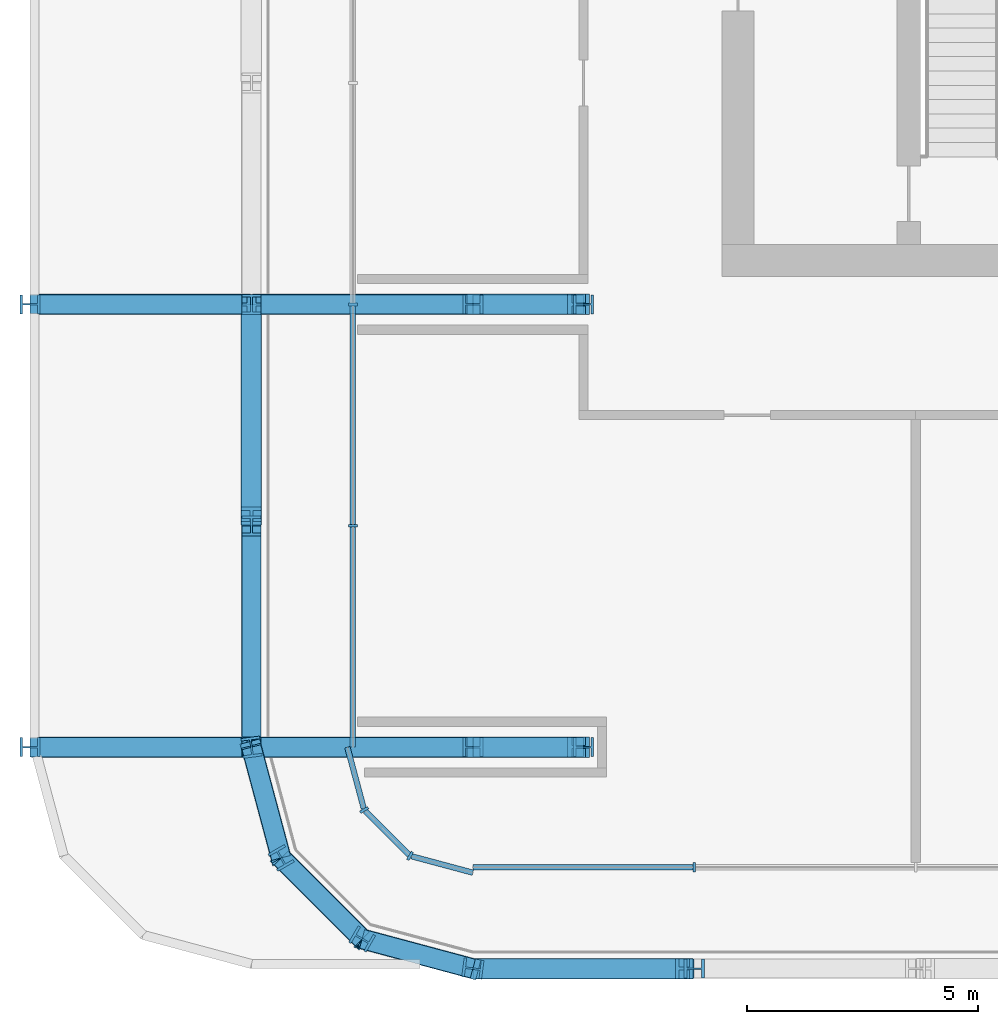
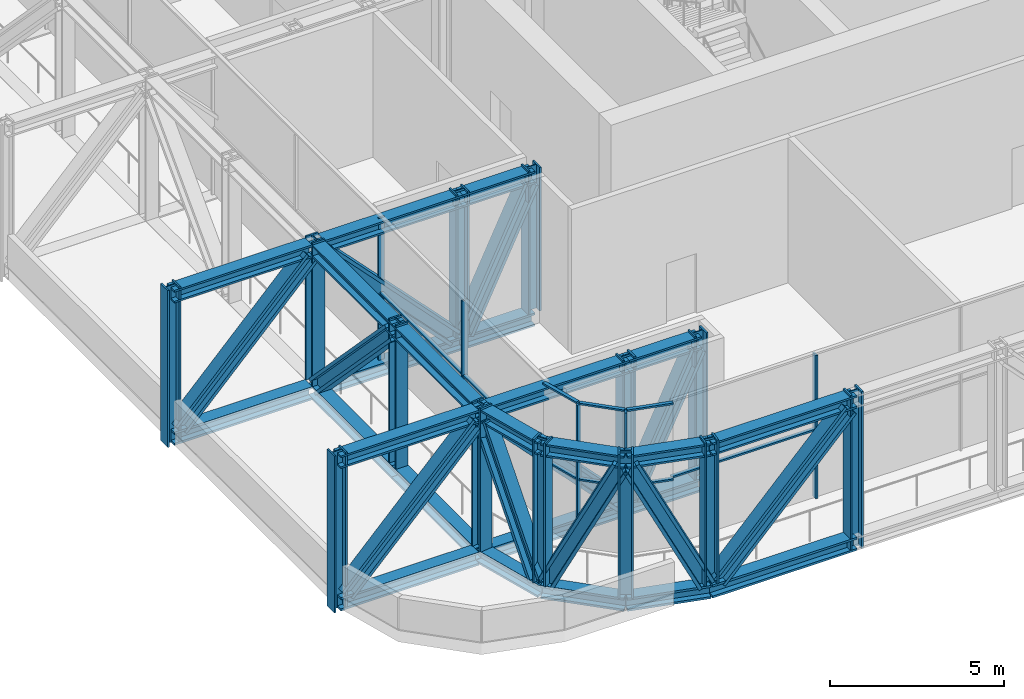
# One storey, part 1 of 30: 62 members, 3 elements without a shape of their own.
"""IFC4 building model written with IfcOpenShell, lengths in metres."""

from ifc_helpers import new_model, si_unit, direction, frame, origin, origin_2d, place, context, subcontext, project, spatial, rectangle, i_section, extrude, material, layer, layer_set, material_profile, profile_set, type_object, element, aggregate, save


model = new_model("IFC4")

# Units and contexts
model_context = context("Model", 3, precision=1e-05, world=origin(), true_north=direction((0.0, 1.0)))
body_context = subcontext(model_context, "Body", "Model", "MODEL_VIEW")
ifc_project = project(units=[si_unit("LENGTHUNIT", "METRE"), si_unit("AREAUNIT", "SQUARE_METRE"), si_unit("VOLUMEUNIT", "CUBIC_METRE"), si_unit("PLANEANGLEUNIT", "RADIAN"), si_unit("MASSUNIT", "GRAM", prefix="KILO")], contexts=[model_context])

# Site, building, storey
site_placement = place(None, origin())
site = spatial("IfcSite", under=ifc_project, at=site_placement, CompositionType="ELEMENT")
building_placement = place(site_placement, origin())
building = spatial("IfcBuilding", under=site, at=building_placement, Name="Madar Terraces", CompositionType="ELEMENT")
storey_placement = place(building_placement, frame((0.0, 0.0, 173.5)))
storey = spatial("IfcBuildingStorey", under=building, at=storey_placement, Name="L45", CompositionType="ELEMENT", Elevation=173.5)

# Members
ifc_material_1 = material(Name="Steel ASTM A913 Grade 65", Category="steel")
ifc_material_profile_1 = material_profile(ifc_material_1, i_section(OverallWidth=0.421630859375, OverallDepth=0.46484375, WebThickness=0.044921875, FlangeThickness=0.072509765625, at=origin_2d()), Name="W14x398")
ifc_profile_set_1 = profile_set([ifc_material_profile_1], Name="Steel ASTM A913 Grade 65")
member_type_1 = type_object("IfcMemberType", Name="BC6 W14x398", PredefinedType="CHORD", material=ifc_profile_set_1)
for number, where, z_axis, x_axis, name in (
    (1, (9.60009765625, 0.0, -0.1875), (1.0, 0.0, 0.0), (0.0, 1.0, 0.0), "Exoskeleton truss ring bottom chord BC6"),
    (2, (4.800048828125, 14.39990234375, -0.1875), (0.0, -1.0, 0.0), (1.0, 0.0, 0.0), "Exoskeleton truss ring bottom chord BC6"),
):
    element("IfcMember", number, at=place(storey_placement, frame(where, z_axis=z_axis, x_axis=x_axis)), inside=storey, type_object=member_type_1, Name=name, PredefinedType="CHORD", context=body_context, shape_type="SweptSolid", body=[
        extrude(i_section(OverallWidth=0.421630859375, OverallDepth=0.46484375, WebThickness=0.044921875, FlangeThickness=0.072509765625, at=origin_2d()), origin(), (0.0, 0.0, 1.0), 4.7998046875),
    ])
member_1_placement = place(storey_placement, frame((4.800048828125, 9.60009765625, -0.1875), z_axis=(0.0, -1.0, 0.0), x_axis=(1.0, 0.0, 0.0)))
element("IfcMember", 3, at=member_1_placement, inside=storey, type_object=member_type_1, Name="Exoskeleton truss ring bottom chord BC6", PredefinedType="CHORD", context=body_context, shape_type="SweptSolid", body=[
    extrude(i_section(OverallWidth=0.421630859375, OverallDepth=0.46484375, WebThickness=0.044921875, FlangeThickness=0.072509765625, at=origin_2d()), origin(), (0.0, 0.0, 1.0), 4.800048828125),
])
member_2_placement = place(storey_placement, frame((4.800048828125, 4.800048828125, -0.1875), z_axis=(0.258799930484, -0.965930947833, 0.0), x_axis=(0.965930947833, 0.258799930484, 0.0)))
element("IfcMember", 4, at=member_2_placement, inside=storey, type_object=member_type_1, Name="Exoskeleton truss ring bottom chord BC6", PredefinedType="CHORD", context=body_context, shape_type="SweptSolid", body=[
    extrude(i_section(OverallWidth=0.421630859375, OverallDepth=0.46484375, WebThickness=0.044921875, FlangeThickness=0.072509765625, at=origin_2d()), origin(), (0.0, 0.0, 1.0), 2.48486328125),
])
member_3_placement = place(storey_placement, frame((5.443115234375, 2.39990234375, -0.1875), z_axis=(0.707106781187, -0.707106781187, 0.0), x_axis=(0.707106781187, 0.707106781187, 0.0)))
element("IfcMember", 5, at=member_3_placement, inside=storey, type_object=member_type_1, Name="Exoskeleton truss ring bottom chord BC6", PredefinedType="CHORD", context=body_context, shape_type="SweptSolid", body=[
    extrude(i_section(OverallWidth=0.421630859375, OverallDepth=0.46484375, WebThickness=0.044921875, FlangeThickness=0.072509765625, at=origin_2d()), origin(), (0.0, 0.0, 1.0), 2.484619140625),
])
member_4_placement = place(storey_placement, frame((7.199951171875, 0.64306640625, -0.1875), z_axis=(0.965930947833, -0.258799930484, 0.0), x_axis=(0.258799930484, 0.965930947833, 0.0)))
element("IfcMember", 6, at=member_4_placement, inside=storey, type_object=member_type_1, Name="Exoskeleton truss ring bottom chord BC6", PredefinedType="CHORD", context=body_context, shape_type="SweptSolid", body=[
    extrude(i_section(OverallWidth=0.421630859375, OverallDepth=0.46484375, WebThickness=0.044921875, FlangeThickness=0.072509765625, at=origin_2d()), origin(), (0.0, 0.0, 1.0), 2.48486328125),
])
member_5_placement = place(storey_placement, frame((0.0, 4.800048828125, -0.1875), z_axis=(1.0, 0.0, 0.0), x_axis=(0.0, 1.0, 0.0)))
element("IfcMember", 7, at=member_5_placement, inside=storey, type_object=member_type_1, Name="Exoskeleton truss cross W4.8 bottom chord BC6", PredefinedType="CHORD", context=body_context, shape_type="SweptSolid", body=[
    extrude(i_section(OverallWidth=0.421630859375, OverallDepth=0.46484375, WebThickness=0.044921875, FlangeThickness=0.072509765625, at=origin_2d()), origin(), (0.0, 0.0, 1.0), 4.589111328125),
])
member_6_placement = place(storey_placement, frame((5.0107421875, 4.800048828125, -0.1875), z_axis=(1.0, 0.0, 0.0), x_axis=(0.0, 1.0, 0.0)))
element("IfcMember", 8, at=member_6_placement, inside=storey, type_object=member_type_1, Name="Exoskeleton truss cross W4.8 bottom chord BC6", PredefinedType="CHORD", context=body_context, shape_type="SweptSolid", body=[
    extrude(i_section(OverallWidth=0.421630859375, OverallDepth=0.46484375, WebThickness=0.044921875, FlangeThickness=0.072509765625, at=origin_2d()), origin(), (0.0, 0.0, 1.0), 4.58935546875),
])
member_7_placement = place(storey_placement, frame((9.60009765625, 4.800048828125, -0.1875), z_axis=(1.0, 0.0, 0.0), x_axis=(0.0, 1.0, 0.0)))
element("IfcMember", 9, at=member_7_placement, inside=storey, type_object=member_type_1, Name="Exoskeleton truss cross W4.8 bottom chord BC6", PredefinedType="CHORD", context=body_context, shape_type="SweptSolid", body=[
    extrude(i_section(OverallWidth=0.421630859375, OverallDepth=0.46484375, WebThickness=0.044921875, FlangeThickness=0.072509765625, at=origin_2d()), origin(), (0.0, 0.0, 1.0), 2.39990234375),
])
member_8_placement = place(storey_placement, frame((0.0, 14.39990234375, -0.1875), z_axis=(1.0, 0.0, 0.0), x_axis=(0.0, 1.0, 0.0)))
element("IfcMember", 10, at=member_8_placement, inside=storey, type_object=member_type_1, Name="Exoskeleton truss cross W14.4 bottom chord BC6", PredefinedType="CHORD", context=body_context, shape_type="SweptSolid", body=[
    extrude(i_section(OverallWidth=0.421630859375, OverallDepth=0.46484375, WebThickness=0.044921875, FlangeThickness=0.072509765625, at=origin_2d()), origin(), (0.0, 0.0, 1.0), 4.589111328125),
])
member_9_placement = place(storey_placement, frame((5.0107421875, 14.39990234375, -0.1875), z_axis=(1.0, 0.0, 0.0), x_axis=(0.0, 1.0, 0.0)))
element("IfcMember", 11, at=member_9_placement, inside=storey, type_object=member_type_1, Name="Exoskeleton truss cross W14.4 bottom chord BC6", PredefinedType="CHORD", context=body_context, shape_type="SweptSolid", body=[
    extrude(i_section(OverallWidth=0.421630859375, OverallDepth=0.46484375, WebThickness=0.044921875, FlangeThickness=0.072509765625, at=origin_2d()), origin(), (0.0, 0.0, 1.0), 4.58935546875),
])
member_10_placement = place(storey_placement, frame((9.60009765625, 14.39990234375, -0.1875), z_axis=(1.0, 0.0, 0.0), x_axis=(0.0, 1.0, 0.0)))
element("IfcMember", 12, at=member_10_placement, inside=storey, type_object=member_type_1, Name="Exoskeleton truss cross W14.4 bottom chord BC6", PredefinedType="CHORD", context=body_context, shape_type="SweptSolid", body=[
    extrude(i_section(OverallWidth=0.421630859375, OverallDepth=0.46484375, WebThickness=0.044921875, FlangeThickness=0.072509765625, at=origin_2d()), origin(), (0.0, 0.0, 1.0), 2.39990234375),
])

# Curtain wall, member
ifc_material_2 = material(Name="Glass, ceramic frit dark grey, with black aluminium frame", Category="aluminium")
ifc_layer = layer(ifc_material_2, 0.199951171875)
ifc_layer_set = layer_set([ifc_layer], Name="Facade curtain wall, tall glazing")
curtain_wall_type = type_object("IfcCurtainWallType", Name="Facade curtain wall, tall glazing", PredefinedType="NOTDEFINED", material=ifc_layer_set)
curtain_wall_1_placement = place(storey_placement, origin())
curtain_wall_1 = element("IfcCurtainWall", 13, at=curtain_wall_1_placement, inside=storey, type_object=curtain_wall_type, Name="Outer skin curtain wall south bay 1", PredefinedType="NOTDEFINED")
ifc_material_3 = material(Name="Aluminium, black anodised", Category="aluminium")
ifc_material_profile_2 = material_profile(ifc_material_3, rectangle(XDim=0.199951171875, YDim=0.06005859375, at=origin_2d()), Name="Facade mullion 60x200")
ifc_profile_set_2 = profile_set([ifc_material_profile_2], Name="Aluminium, black anodised")
member_type_2 = type_object("IfcMemberType", Name="Facade mullion 60x200", PredefinedType="MULLION", material=ifc_profile_set_2)
member_11_placement = place(storey_placement, frame((14.39990234375, 2.199951171875, 0.0), z_axis=(0.0, 0.0, 1.0), x_axis=(0.0, 1.0, 0.0)))
member_11 = element("IfcMember", 14, at=member_11_placement, type_object=member_type_2, Name="Mullion 1", PredefinedType="MULLION", context=body_context, shape_type="SweptSolid", body=[
    extrude(rectangle(XDim=0.199951171875, YDim=0.06005859375, at=origin_2d()), origin(), (0.0, 0.0, 1.0), 5.0400390625),
])

# Curtain wall, members
curtain_wall_2_placement = place(storey_placement, origin())
curtain_wall_2 = element("IfcCurtainWall", 15, at=curtain_wall_2_placement, inside=storey, type_object=curtain_wall_type, Name="Outer skin curtain wall west bay 1", PredefinedType="NOTDEFINED")
member_12_placement = place(storey_placement, frame((7.0, 14.39990234375, 0.0), z_axis=(0.0, 0.0, 1.0), x_axis=(1.0, 0.0, 0.0)))
member_12 = element("IfcMember", 16, at=member_12_placement, type_object=member_type_2, Name="Mullion 6", PredefinedType="MULLION", context=body_context, shape_type="SweptSolid", body=[
    extrude(rectangle(XDim=0.199951171875, YDim=0.06005859375, at=origin_2d()), origin(), (0.0, 0.0, 1.0), 5.0400390625),
])
member_13_placement = place(storey_placement, frame((7.0, 9.60009765625, 0.0), z_axis=(0.0, 0.0, 1.0), x_axis=(1.0, 0.0, 0.0)))
member_13 = element("IfcMember", 17, at=member_13_placement, type_object=member_type_2, Name="Mullion 7", PredefinedType="MULLION", context=body_context, shape_type="SweptSolid", body=[
    extrude(rectangle(XDim=0.199951171875, YDim=0.06005859375, at=origin_2d()), origin(), (0.0, 0.0, 1.0), 5.0400390625),
])

curtain_wall_3_placement = place(storey_placement, origin())
curtain_wall_3 = element("IfcCurtainWall", 18, at=curtain_wall_3_placement, inside=storey, type_object=curtain_wall_type, Name="Outer skin curtain wall south-west corner", PredefinedType="NOTDEFINED")
member_14_placement = place(storey_placement, frame((7.244384765625, 3.43994140625, 0.0), z_axis=(0.0, 0.0, 1.0), x_axis=(0.866025386925, 0.500000029202, 0.0)))
member_14 = element("IfcMember", 19, at=member_14_placement, type_object=member_type_2, Name="Mullion 1", PredefinedType="MULLION", context=body_context, shape_type="SweptSolid", body=[
    extrude(rectangle(XDim=0.199951171875, YDim=0.06005859375, at=origin_2d()), origin(), (0.0, 0.0, 1.0), 5.0400390625),
])
member_15_placement = place(storey_placement, frame((8.239990234375, 2.4443359375, 0.0), z_axis=(0.0, 0.0, 1.0), x_axis=(0.500000029202, 0.866025386925, 0.0)))
member_15 = element("IfcMember", 20, at=member_15_placement, type_object=member_type_2, Name="Mullion 2", PredefinedType="MULLION", context=body_context, shape_type="SweptSolid", body=[
    extrude(rectangle(XDim=0.199951171875, YDim=0.06005859375, at=origin_2d()), origin(), (0.0, 0.0, 1.0), 5.0400390625),
])

# Member
ifc_material_4 = material(Name="Aluminium, black anodised", Category="aluminium")
ifc_material_profile_3 = material_profile(ifc_material_4, rectangle(XDim=0.1201171875, YDim=0.06005859375, at=origin_2d()), Name="Facade transom 60x120")
ifc_profile_set_3 = profile_set([ifc_material_profile_3], Name="Aluminium, black anodised")
member_type_3 = type_object("IfcMemberType", Name="Facade transom 60x120", PredefinedType="USERDEFINED", material=ifc_profile_set_3)
member_16_placement = place(storey_placement, frame((9.60009765625, 2.199951171875, 2.39990234375), z_axis=(1.0, 0.0, 0.0), x_axis=(0.0, 1.0, 0.0)))
member_16 = element("IfcMember", 21, at=member_16_placement, type_object=member_type_3, Name="Transom 2", ObjectType="TRANSOM", PredefinedType="USERDEFINED", context=body_context, shape_type="SweptSolid", body=[
    extrude(rectangle(XDim=0.1201171875, YDim=0.06005859375, at=origin_2d()), origin(), (0.0, 0.0, 1.0), 4.77001953125),
])

aggregate(curtain_wall_1, [member_11, member_16])

member_17_placement = place(storey_placement, frame((7.0, 14.3701171875, 2.39990234375), z_axis=(0.0, -1.0, 0.0), x_axis=(1.0, 0.0, 0.0)))
member_17 = element("IfcMember", 22, at=member_17_placement, type_object=member_type_3, Name="Transom 8", ObjectType="TRANSOM", PredefinedType="USERDEFINED", context=body_context, shape_type="SweptSolid", body=[
    extrude(rectangle(XDim=0.1201171875, YDim=0.06005859375, at=origin_2d()), origin(), (0.0, 0.0, 1.0), 4.740234375),
])

member_18_placement = place(storey_placement, frame((7.0, 9.570068359375, 2.39990234375), z_axis=(0.0, -1.0, 0.0), x_axis=(1.0, 0.0, 0.0)))
member_18 = element("IfcMember", 23, at=member_18_placement, type_object=member_type_3, Name="Transom 9", ObjectType="TRANSOM", PredefinedType="USERDEFINED", context=body_context, shape_type="SweptSolid", body=[
    extrude(rectangle(XDim=0.1201171875, YDim=0.06005859375, at=origin_2d()), origin(), (0.0, 0.0, 1.0), 4.77001953125),
])

aggregate(curtain_wall_2, [member_12, member_13, member_17, member_18])

member_19_placement = place(storey_placement, frame((6.8798828125, 4.800048828125, 5.070068359375), z_axis=(0.258842352791, -0.965919580711, 0.0), x_axis=(0.965919580711, 0.258842352791, 0.0)))
member_19 = element("IfcMember", 24, at=member_19_placement, type_object=member_type_3, Name="Transom 1", ObjectType="TRANSOM", PredefinedType="USERDEFINED", context=body_context, shape_type="SweptSolid", body=[
    extrude(rectangle(XDim=0.1201171875, YDim=0.06005859375, at=origin_2d()), origin(), (0.0, 0.0, 1.0), 1.3779296875),
])

member_20_placement = place(storey_placement, frame((6.8798828125, 4.800048828125, 2.39990234375), z_axis=(0.258842352791, -0.965919580711, 0.0), x_axis=(0.965919580711, 0.258842352791, 0.0)))
member_20 = element("IfcMember", 25, at=member_20_placement, type_object=member_type_3, Name="Transom 2", ObjectType="TRANSOM", PredefinedType="USERDEFINED", context=body_context, shape_type="SweptSolid", body=[
    extrude(rectangle(XDim=0.1201171875, YDim=0.06005859375, at=origin_2d()), origin(), (0.0, 0.0, 1.0), 1.3779296875),
])

member_21_placement = place(storey_placement, frame((7.265625, 3.418701171875, 5.070068359375), z_axis=(0.707106781187, -0.707106781187, 0.0), x_axis=(0.707106781187, 0.707106781187, 0.0)))
member_21 = element("IfcMember", 26, at=member_21_placement, type_object=member_type_3, Name="Transom 3", ObjectType="TRANSOM", PredefinedType="USERDEFINED", context=body_context, shape_type="SweptSolid", body=[
    extrude(rectangle(XDim=0.1201171875, YDim=0.06005859375, at=origin_2d()), origin(), (0.0, 0.0, 1.0), 1.347900390625),
])

member_22_placement = place(storey_placement, frame((7.265625, 3.418701171875, 2.39990234375), z_axis=(0.707106781187, -0.707106781187, 0.0), x_axis=(0.707106781187, 0.707106781187, 0.0)))
member_22 = element("IfcMember", 27, at=member_22_placement, type_object=member_type_3, Name="Transom 4", ObjectType="TRANSOM", PredefinedType="USERDEFINED", context=body_context, shape_type="SweptSolid", body=[
    extrude(rectangle(XDim=0.1201171875, YDim=0.06005859375, at=origin_2d()), origin(), (0.0, 0.0, 1.0), 1.347900390625),
])

member_23_placement = place(storey_placement, frame((8.26904296875, 2.436767578125, 5.070068359375), z_axis=(0.965919580711, -0.258842352791, 0.0), x_axis=(0.258842352791, 0.965919580711, 0.0)))
member_23 = element("IfcMember", 28, at=member_23_placement, type_object=member_type_3, Name="Transom 5", ObjectType="TRANSOM", PredefinedType="USERDEFINED", context=body_context, shape_type="SweptSolid", body=[
    extrude(rectangle(XDim=0.1201171875, YDim=0.06005859375, at=origin_2d()), origin(), (0.0, 0.0, 1.0), 1.3779296875),
])

member_24_placement = place(storey_placement, frame((8.26904296875, 2.436767578125, 2.39990234375), z_axis=(0.965919580711, -0.258842352791, 0.0), x_axis=(0.258842352791, 0.965919580711, 0.0)))
member_24 = element("IfcMember", 29, at=member_24_placement, type_object=member_type_3, Name="Transom 6", ObjectType="TRANSOM", PredefinedType="USERDEFINED", context=body_context, shape_type="SweptSolid", body=[
    extrude(rectangle(XDim=0.1201171875, YDim=0.06005859375, at=origin_2d()), origin(), (0.0, 0.0, 1.0), 1.3779296875),
])

aggregate(curtain_wall_3, [member_14, member_19, member_20, member_15, member_21, member_22, member_23, member_24])

# Members
ifc_material_5 = material(Name="Steel ASTM A913 Grade 65", Category="steel")
ifc_material_profile_4 = material_profile(ifc_material_5, i_section(OverallWidth=0.41650390625, OverallDepth=0.444580078125, WebThickness=0.0390625, FlangeThickness=0.062744140625, at=origin_2d()), Name="W14x342")
ifc_profile_set_4 = profile_set([ifc_material_profile_4], Name="Steel ASTM A913 Grade 65")
member_type_4 = type_object("IfcMemberType", Name="TC6 W14x342", PredefinedType="CHORD", material=ifc_profile_set_4)
for number, where, z_axis, x_axis, name in (
    (30, (9.60009765625, 0.0, 4.807861328125), (1.0, 0.0, 0.0), (0.0, 1.0, 0.0), "Exoskeleton truss ring top chord TC6"),
    (31, (4.800048828125, 14.39990234375, 4.807861328125), (0.0, -1.0, 0.0), (1.0, 0.0, 0.0), "Exoskeleton truss ring top chord TC6"),
):
    element("IfcMember", number, at=place(storey_placement, frame(where, z_axis=z_axis, x_axis=x_axis)), inside=storey, type_object=member_type_4, Name=name, PredefinedType="CHORD", context=body_context, shape_type="SweptSolid", body=[
        extrude(i_section(OverallWidth=0.41650390625, OverallDepth=0.444580078125, WebThickness=0.0390625, FlangeThickness=0.062744140625, at=origin_2d()), origin(), (0.0, 0.0, 1.0), 4.7998046875),
    ])
member_25_placement = place(storey_placement, frame((4.800048828125, 9.60009765625, 4.807861328125), z_axis=(0.0, -1.0, 0.0), x_axis=(1.0, 0.0, 0.0)))
element("IfcMember", 32, at=member_25_placement, inside=storey, type_object=member_type_4, Name="Exoskeleton truss ring top chord TC6", PredefinedType="CHORD", context=body_context, shape_type="SweptSolid", body=[
    extrude(i_section(OverallWidth=0.41650390625, OverallDepth=0.444580078125, WebThickness=0.0390625, FlangeThickness=0.062744140625, at=origin_2d()), origin(), (0.0, 0.0, 1.0), 4.800048828125),
])
member_26_placement = place(storey_placement, frame((4.800048828125, 4.800048828125, 4.807861328125), z_axis=(0.258799930484, -0.965930947833, 0.0), x_axis=(0.965930947833, 0.258799930484, 0.0)))
element("IfcMember", 33, at=member_26_placement, inside=storey, type_object=member_type_4, Name="Exoskeleton truss ring top chord TC6", PredefinedType="CHORD", context=body_context, shape_type="SweptSolid", body=[
    extrude(i_section(OverallWidth=0.41650390625, OverallDepth=0.444580078125, WebThickness=0.0390625, FlangeThickness=0.062744140625, at=origin_2d()), origin(), (0.0, 0.0, 1.0), 2.48486328125),
])
member_27_placement = place(storey_placement, frame((5.443115234375, 2.39990234375, 4.807861328125), z_axis=(0.707106781187, -0.707106781187, 0.0), x_axis=(0.707106781187, 0.707106781187, 0.0)))
element("IfcMember", 34, at=member_27_placement, inside=storey, type_object=member_type_4, Name="Exoskeleton truss ring top chord TC6", PredefinedType="CHORD", context=body_context, shape_type="SweptSolid", body=[
    extrude(i_section(OverallWidth=0.41650390625, OverallDepth=0.444580078125, WebThickness=0.0390625, FlangeThickness=0.062744140625, at=origin_2d()), origin(), (0.0, 0.0, 1.0), 2.484619140625),
])
member_28_placement = place(storey_placement, frame((7.199951171875, 0.64306640625, 4.807861328125), z_axis=(0.965930947833, -0.258799930484, 0.0), x_axis=(0.258799930484, 0.965930947833, 0.0)))
element("IfcMember", 35, at=member_28_placement, inside=storey, type_object=member_type_4, Name="Exoskeleton truss ring top chord TC6", PredefinedType="CHORD", context=body_context, shape_type="SweptSolid", body=[
    extrude(i_section(OverallWidth=0.41650390625, OverallDepth=0.444580078125, WebThickness=0.0390625, FlangeThickness=0.062744140625, at=origin_2d()), origin(), (0.0, 0.0, 1.0), 2.48486328125),
])
for number, where, z_axis, x_axis, name in (
    (36, (0.0, 4.800048828125, 4.807861328125), (1.0, 0.0, 0.0), (0.0, 1.0, 0.0), "Exoskeleton truss cross W4.8 top chord TC6"),
    (37, (5.00830078125, 4.800048828125, 4.807861328125), (1.0, 0.0, 0.0), (0.0, 1.0, 0.0), "Exoskeleton truss cross W4.8 top chord TC6"),
):
    element("IfcMember", number, at=place(storey_placement, frame(where, z_axis=z_axis, x_axis=x_axis)), inside=storey, type_object=member_type_4, Name=name, PredefinedType="CHORD", context=body_context, shape_type="SweptSolid", body=[
        extrude(i_section(OverallWidth=0.41650390625, OverallDepth=0.444580078125, WebThickness=0.0390625, FlangeThickness=0.062744140625, at=origin_2d()), origin(), (0.0, 0.0, 1.0), 4.591796875),
    ])
member_29_placement = place(storey_placement, frame((9.60009765625, 4.800048828125, 4.807861328125), z_axis=(1.0, 0.0, 0.0), x_axis=(0.0, 1.0, 0.0)))
element("IfcMember", 38, at=member_29_placement, inside=storey, type_object=member_type_4, Name="Exoskeleton truss cross W4.8 top chord TC6", PredefinedType="CHORD", context=body_context, shape_type="SweptSolid", body=[
    extrude(i_section(OverallWidth=0.41650390625, OverallDepth=0.444580078125, WebThickness=0.0390625, FlangeThickness=0.062744140625, at=origin_2d()), origin(), (0.0, 0.0, 1.0), 2.39990234375),
])
for number, where, z_axis, x_axis, name in (
    (39, (0.0, 14.39990234375, 4.807861328125), (1.0, 0.0, 0.0), (0.0, 1.0, 0.0), "Exoskeleton truss cross W14.4 top chord TC6"),
    (40, (5.00830078125, 14.39990234375, 4.807861328125), (1.0, 0.0, 0.0), (0.0, 1.0, 0.0), "Exoskeleton truss cross W14.4 top chord TC6"),
):
    element("IfcMember", number, at=place(storey_placement, frame(where, z_axis=z_axis, x_axis=x_axis)), inside=storey, type_object=member_type_4, Name=name, PredefinedType="CHORD", context=body_context, shape_type="SweptSolid", body=[
        extrude(i_section(OverallWidth=0.41650390625, OverallDepth=0.444580078125, WebThickness=0.0390625, FlangeThickness=0.062744140625, at=origin_2d()), origin(), (0.0, 0.0, 1.0), 4.591796875),
    ])
member_30_placement = place(storey_placement, frame((9.60009765625, 14.39990234375, 4.807861328125), z_axis=(1.0, 0.0, 0.0), x_axis=(0.0, 1.0, 0.0)))
element("IfcMember", 41, at=member_30_placement, inside=storey, type_object=member_type_4, Name="Exoskeleton truss cross W14.4 top chord TC6", PredefinedType="CHORD", context=body_context, shape_type="SweptSolid", body=[
    extrude(i_section(OverallWidth=0.41650390625, OverallDepth=0.444580078125, WebThickness=0.0390625, FlangeThickness=0.062744140625, at=origin_2d()), origin(), (0.0, 0.0, 1.0), 2.39990234375),
])
ifc_material_6 = material(Name="Steel ASTM A913 Grade 65", Category="steel")
ifc_material_profile_5 = material_profile(ifc_material_6, i_section(OverallWidth=0.44189453125, OverallDepth=0.53076171875, WebThickness=0.06591796875, FlangeThickness=0.105712890625, at=origin_2d()), Name="W14x605")
ifc_profile_set_5 = profile_set([ifc_material_profile_5], Name="Steel ASTM A913 Grade 65")
member_type_5 = type_object("IfcMemberType", Name="TD6 W14x605", PredefinedType="BRACE", material=ifc_profile_set_5)
for number, where, z_axis, x_axis, name in (
    (42, (9.8232421875, 0.0, 0.044921875), (0.692893291087, 0.0, 0.721040142549), (0.0, 1.0, 0.0), "Exoskeleton truss ring diagonal TD6"),
    (43, (4.800048828125, 14.1767578125, 0.044921875), (0.0, -0.692893291087, 0.721040142549), (1.0, 0.0, 0.0), "Exoskeleton truss ring diagonal TD6"),
):
    element("IfcMember", number, at=place(storey_placement, frame(where, z_axis=z_axis, x_axis=x_axis)), inside=storey, type_object=member_type_5, Name=name, PredefinedType="BRACE", context=body_context, shape_type="SweptSolid", body=[
        extrude(i_section(OverallWidth=0.44189453125, OverallDepth=0.53076171875, WebThickness=0.06591796875, FlangeThickness=0.105712890625, at=origin_2d()), origin(), (0.0, 0.0, 1.0), 6.297119140625),
    ])
member_31_placement = place(storey_placement, frame((4.82861328125, 4.693115234375, 4.58544921875), z_axis=(0.115254628021, -0.4301587725, -0.895365735977), x_axis=(0.965929232481, 0.258806332687, 0.0)))
element("IfcMember", 44, at=member_31_placement, inside=storey, type_object=member_type_5, Name="Exoskeleton truss ring diagonal TD6", PredefinedType="BRACE", context=body_context, shape_type="SweptSolid", body=[
    extrude(i_section(OverallWidth=0.44189453125, OverallDepth=0.53076171875, WebThickness=0.06591796875, FlangeThickness=0.105712890625, at=origin_2d()), origin(), (0.0, 0.0, 1.0), 5.071044921875),
])
member_32_placement = place(storey_placement, frame((5.52490234375, 2.318359375, 0.044921875), z_axis=(0.314897946587, -0.314946088759, 0.895348113535), x_axis=(0.707160826876, 0.707052731366, 0.0)))
element("IfcMember", 45, at=member_32_placement, inside=storey, type_object=member_type_5, Name="Exoskeleton truss ring diagonal TD6", PredefinedType="BRACE", context=body_context, shape_type="SweptSolid", body=[
    extrude(i_section(OverallWidth=0.44189453125, OverallDepth=0.53076171875, WebThickness=0.06591796875, FlangeThickness=0.105712890625, at=origin_2d()), origin(), (0.0, 0.0, 1.0), 5.0712890625),
])
member_33_placement = place(storey_placement, frame((7.306884765625, 0.614501953125, 4.58544921875), z_axis=(0.4301587725, -0.115254628021, -0.895365735977), x_axis=(0.258806332687, 0.965929232481, 0.0)))
element("IfcMember", 46, at=member_33_placement, inside=storey, type_object=member_type_5, Name="Exoskeleton truss ring diagonal TD6", PredefinedType="BRACE", context=body_context, shape_type="SweptSolid", body=[
    extrude(i_section(OverallWidth=0.44189453125, OverallDepth=0.53076171875, WebThickness=0.06591796875, FlangeThickness=0.105712890625, at=origin_2d()), origin(), (0.0, 0.0, 1.0), 5.071044921875),
])
for number, where, z_axis, x_axis, name in (
    (47, (0.223388671875, 4.800048828125, 0.044921875), (0.692873133915, 0.0, 0.721059512314), (0.0, 1.0, 0.0), "Exoskeleton truss cross W4.8 diagonal TD6"),
    (48, (5.013671875, 4.800048828125, 4.58544921875), (0.692873133915, 0.0, -0.721059512314), (0.0, 1.0, 0.0), "Exoskeleton truss cross W4.8 diagonal TD6"),
):
    element("IfcMember", number, at=place(storey_placement, frame(where, z_axis=z_axis, x_axis=x_axis)), inside=storey, type_object=member_type_5, Name=name, PredefinedType="BRACE", context=body_context, shape_type="SweptSolid", body=[
        extrude(i_section(OverallWidth=0.44189453125, OverallDepth=0.53076171875, WebThickness=0.06591796875, FlangeThickness=0.105712890625, at=origin_2d()), origin(), (0.0, 0.0, 1.0), 6.297119140625),
    ])
member_34_placement = place(storey_placement, frame((9.711669921875, 4.800048828125, 0.044921875), z_axis=(0.433083966096, 0.0, 0.901353581183), x_axis=(0.0, 1.0, 0.0)))
element("IfcMember", 49, at=member_34_placement, inside=storey, type_object=member_type_5, Name="Exoskeleton truss cross W4.8 diagonal TD6", PredefinedType="BRACE", context=body_context, shape_type="SweptSolid", body=[
    extrude(i_section(OverallWidth=0.44189453125, OverallDepth=0.53076171875, WebThickness=0.06591796875, FlangeThickness=0.105712890625, at=origin_2d()), origin(), (0.0, 0.0, 1.0), 5.037353515625),
])
for number, where, z_axis, x_axis, name in (
    (50, (0.223388671875, 14.39990234375, 0.044921875), (0.692873133915, 0.0, 0.721059512314), (0.0, 1.0, 0.0), "Exoskeleton truss cross W14.4 diagonal TD6"),
    (51, (5.013671875, 14.39990234375, 4.58544921875), (0.692873133915, 0.0, -0.721059512314), (0.0, 1.0, 0.0), "Exoskeleton truss cross W14.4 diagonal TD6"),
):
    element("IfcMember", number, at=place(storey_placement, frame(where, z_axis=z_axis, x_axis=x_axis)), inside=storey, type_object=member_type_5, Name=name, PredefinedType="BRACE", context=body_context, shape_type="SweptSolid", body=[
        extrude(i_section(OverallWidth=0.44189453125, OverallDepth=0.53076171875, WebThickness=0.06591796875, FlangeThickness=0.105712890625, at=origin_2d()), origin(), (0.0, 0.0, 1.0), 6.297119140625),
    ])
member_35_placement = place(storey_placement, frame((9.711669921875, 14.39990234375, 0.044921875), z_axis=(0.433083966096, 0.0, 0.901353581183), x_axis=(0.0, 1.0, 0.0)))
element("IfcMember", 52, at=member_35_placement, inside=storey, type_object=member_type_5, Name="Exoskeleton truss cross W14.4 diagonal TD6", PredefinedType="BRACE", context=body_context, shape_type="SweptSolid", body=[
    extrude(i_section(OverallWidth=0.44189453125, OverallDepth=0.53076171875, WebThickness=0.06591796875, FlangeThickness=0.105712890625, at=origin_2d()), origin(), (0.0, 0.0, 1.0), 5.037353515625),
])
ifc_material_7 = material(Name="Steel ASTM A913 Grade 65", Category="steel")
ifc_material_profile_6 = material_profile(ifc_material_7, i_section(OverallWidth=0.411376953125, OverallDepth=0.434326171875, WebThickness=0.035888671875, FlangeThickness=0.057373046875, at=origin_2d()), Name="W14x311")
ifc_profile_set_6 = profile_set([ifc_material_profile_6], Name="Steel ASTM A913 Grade 65")
member_type_6 = type_object("IfcMemberType", Name="TV6 W14x311", PredefinedType="POST", material=ifc_profile_set_6)
member_36_placement = place(storey_placement, frame((9.60009765625, 0.0, 0.044921875), z_axis=(0.0, 0.0, 1.0), x_axis=(0.130526174916, 0.991444863652, 0.0)))
element("IfcMember", 53, at=member_36_placement, inside=storey, type_object=member_type_6, Name="Exoskeleton truss ring post TV6", PredefinedType="POST", context=body_context, shape_type="SweptSolid", body=[
    extrude(i_section(OverallWidth=0.411376953125, OverallDepth=0.434326171875, WebThickness=0.035888671875, FlangeThickness=0.057373046875, at=origin_2d()), origin(), (0.0, 0.0, 1.0), 5.05517578125),
])
member_37_placement = place(storey_placement, frame((14.39990234375, 0.0, -0.419921875), z_axis=(0.0, 0.0, 1.0), x_axis=(0.0, 1.0, 0.0)))
element("IfcMember", 54, at=member_37_placement, inside=storey, type_object=member_type_6, Name="Exoskeleton truss ring post TV6", PredefinedType="POST", context=body_context, shape_type="SweptSolid", body=[
    extrude(i_section(OverallWidth=0.411376953125, OverallDepth=0.434326171875, WebThickness=0.035888671875, FlangeThickness=0.057373046875, at=origin_2d()), origin(), (0.0, 0.0, 1.0), 5.52001953125),
])
for number, where, z_axis, x_axis, name in (
    (55, (4.800048828125, 14.39990234375, 0.044921875), (0.0, 0.0, 1.0), (1.0, 0.0, 0.0), "Exoskeleton truss ring post TV6"),
    (56, (4.800048828125, 9.60009765625, 0.044921875), (0.0, 0.0, 1.0), (1.0, 0.0, 0.0), "Exoskeleton truss ring post TV6"),
    (57, (4.800048828125, 4.800048828125, 0.044921875), (0.0, 0.0, 1.0), (0.991444863652, 0.130526174916, 0.0), "Exoskeleton truss ring post TV6"),
    (58, (5.443115234375, 2.39990234375, 0.044921875), (0.0, 0.0, 1.0), (0.866025412511, 0.499999984885, 0.0), "Exoskeleton truss ring post TV6"),
    (59, (7.199951171875, 0.64306640625, 0.044921875), (0.0, 0.0, 1.0), (0.499999984885, 0.866025412511, 0.0), "Exoskeleton truss ring post TV6"),
):
    element("IfcMember", number, at=place(storey_placement, frame(where, z_axis=z_axis, x_axis=x_axis)), inside=storey, type_object=member_type_6, Name=name, PredefinedType="POST", context=body_context, shape_type="SweptSolid", body=[
        extrude(i_section(OverallWidth=0.411376953125, OverallDepth=0.434326171875, WebThickness=0.035888671875, FlangeThickness=0.057373046875, at=origin_2d()), origin(), (0.0, 0.0, 1.0), 5.05517578125),
    ])
member_38_placement = place(storey_placement, frame((0.0, 4.800048828125, -0.419921875), z_axis=(0.0, 0.0, 1.0), x_axis=(0.0, 1.0, 0.0)))
element("IfcMember", 60, at=member_38_placement, inside=storey, type_object=member_type_6, Name="Exoskeleton truss cross W4.8 post TV6", PredefinedType="POST", context=body_context, shape_type="SweptSolid", body=[
    extrude(i_section(OverallWidth=0.411376953125, OverallDepth=0.434326171875, WebThickness=0.035888671875, FlangeThickness=0.057373046875, at=origin_2d()), origin(), (0.0, 0.0, 1.0), 5.52001953125),
])
for number, where, z_axis, x_axis, name in (
    (61, (9.60009765625, 4.800048828125, 0.044921875), (0.0, 0.0, 1.0), (0.0, 1.0, 0.0), "Exoskeleton truss cross W4.8 post TV6"),
    (62, (12.0, 4.800048828125, 0.044921875), (0.0, 0.0, 1.0), (0.0, 1.0, 0.0), "Exoskeleton truss cross W4.8 post TV6"),
):
    element("IfcMember", number, at=place(storey_placement, frame(where, z_axis=z_axis, x_axis=x_axis)), inside=storey, type_object=member_type_6, Name=name, PredefinedType="POST", context=body_context, shape_type="SweptSolid", body=[
        extrude(i_section(OverallWidth=0.411376953125, OverallDepth=0.434326171875, WebThickness=0.035888671875, FlangeThickness=0.057373046875, at=origin_2d()), origin(), (0.0, 0.0, 1.0), 5.05517578125),
    ])
member_39_placement = place(storey_placement, frame((0.0, 14.39990234375, -0.419921875), z_axis=(0.0, 0.0, 1.0), x_axis=(0.0, 1.0, 0.0)))
element("IfcMember", 63, at=member_39_placement, inside=storey, type_object=member_type_6, Name="Exoskeleton truss cross W14.4 post TV6", PredefinedType="POST", context=body_context, shape_type="SweptSolid", body=[
    extrude(i_section(OverallWidth=0.411376953125, OverallDepth=0.434326171875, WebThickness=0.035888671875, FlangeThickness=0.057373046875, at=origin_2d()), origin(), (0.0, 0.0, 1.0), 5.52001953125),
])
for number, where, z_axis, x_axis, name in (
    (64, (9.60009765625, 14.39990234375, 0.044921875), (0.0, 0.0, 1.0), (0.0, 1.0, 0.0), "Exoskeleton truss cross W14.4 post TV6"),
    (65, (12.0, 14.39990234375, 0.044921875), (0.0, 0.0, 1.0), (0.0, 1.0, 0.0), "Exoskeleton truss cross W14.4 post TV6"),
):
    element("IfcMember", number, at=place(storey_placement, frame(where, z_axis=z_axis, x_axis=x_axis)), inside=storey, type_object=member_type_6, Name=name, PredefinedType="POST", context=body_context, shape_type="SweptSolid", body=[
        extrude(i_section(OverallWidth=0.411376953125, OverallDepth=0.434326171875, WebThickness=0.035888671875, FlangeThickness=0.057373046875, at=origin_2d()), origin(), (0.0, 0.0, 1.0), 5.05517578125),
    ])

save(model, "model.ifc")
